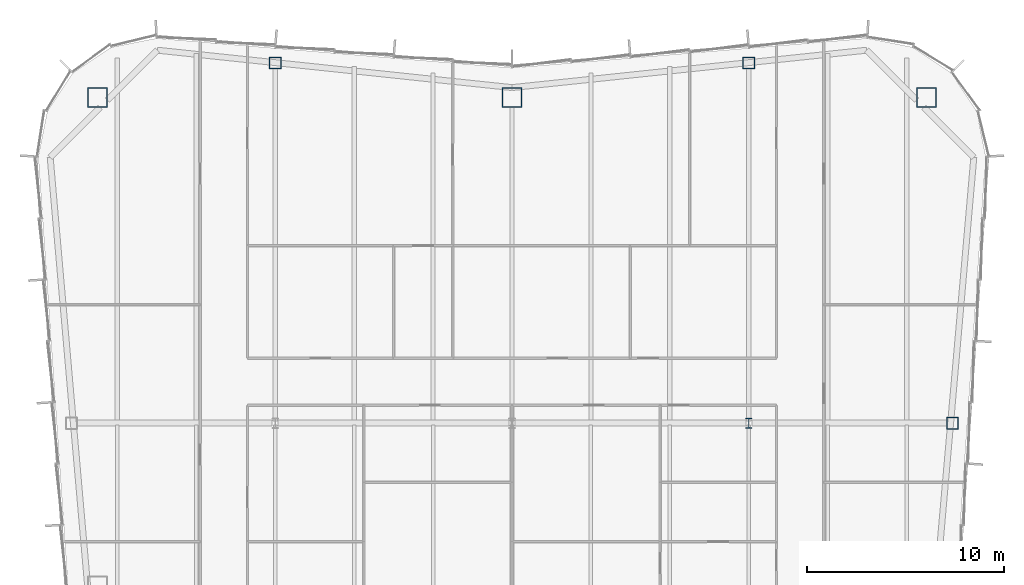
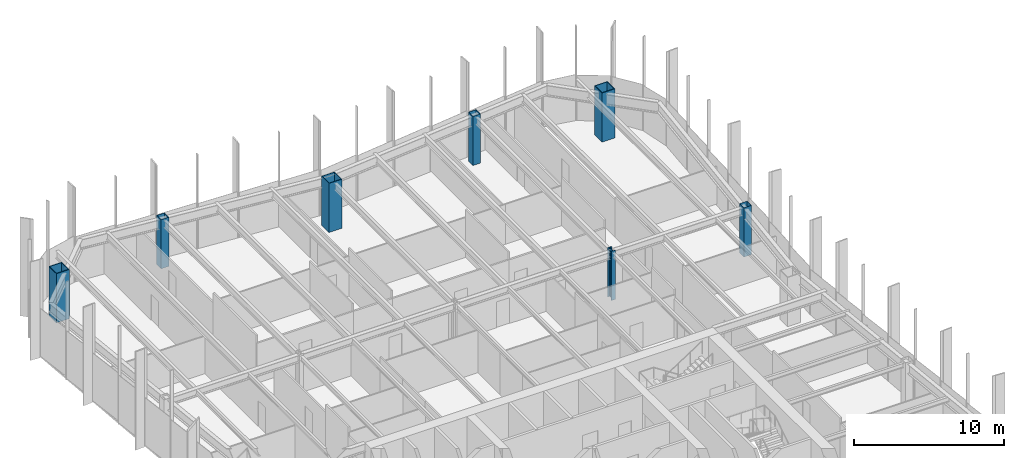
# One storey, part 2 of 15: 7 columns.
"""IFC4 building model written with IfcOpenShell, lengths in metres."""

from ifc_helpers import new_model, si_unit, direction, frame, origin, origin_2d, place, context, subcontext, project, spatial, hollow_rectangle, i_section, extrude, material, material_profile, profile_set, type_object, element, save


model = new_model("IFC4")

# Units and contexts
model_context = context("Model", 3, precision=1e-05, world=origin(), true_north=direction((0.0, 1.0)))
body_context = subcontext(model_context, "Body", "Model", "MODEL_VIEW")
ifc_project = project(units=[si_unit("LENGTHUNIT", "METRE"), si_unit("AREAUNIT", "SQUARE_METRE"), si_unit("VOLUMEUNIT", "CUBIC_METRE"), si_unit("PLANEANGLEUNIT", "RADIAN"), si_unit("MASSUNIT", "GRAM", prefix="KILO")], contexts=[model_context])

# Site, building, storey
site_placement = place(None, origin())
site = spatial("IfcSite", under=ifc_project, at=site_placement, CompositionType="ELEMENT")
building_placement = place(site_placement, origin())
building = spatial("IfcBuilding", under=site, at=building_placement, Name="Verdant Reach Tower", CompositionType="ELEMENT")
storey_placement = place(building_placement, frame((0.0, 0.0, 274.0)))
storey = spatial("IfcBuildingStorey", under=building, at=storey_placement, Name="L63", CompositionType="ELEMENT", Elevation=274.0)

# Columns
ifc_material = material(Name="Steel S460", Category="steel")
ifc_material_profile_1 = material_profile(ifc_material, i_section(OverallWidth=0.305908203125, OverallDepth=0.52392578125, WebThickness=0.012451171875, FlangeThickness=0.0400390625, FilletRadius=0.027099609375, at=origin_2d()), Name="HEM 500")
ifc_profile_set_1 = profile_set([ifc_material_profile_1], Name="Steel S460")
column_type_1 = type_object("IfcColumnType", Name="ST-COL-HEM500", PredefinedType="COLUMN", material=ifc_profile_set_1)
column_placement = place(storey_placement, frame((12.0, 49.5, 0.0), z_axis=(0.0, 0.0, 1.0), x_axis=(1.0, 0.0, 0.0)))
element("IfcColumn", 1, at=column_placement, inside=storey, type_object=column_type_1, Name="Interior column 3, L63", PredefinedType="COLUMN", context=body_context, shape_type="SweptSolid", body=[
    extrude(i_section(OverallWidth=0.305908203125, OverallDepth=0.52392578125, WebThickness=0.012451171875, FlangeThickness=0.0400390625, FilletRadius=0.027099609375, at=origin_2d()), origin(), (0.0, 0.0, 1.0), 4.0),
])
ifc_material_profile_2 = material_profile(ifc_material, hollow_rectangle(XDim=1.0, YDim=1.0, WallThickness=0.044921875, at=origin_2d()), Name="WB 1000x1000x45")
ifc_profile_set_2 = profile_set([ifc_material_profile_2], Name="Steel S460")
column_type_2 = type_object("IfcColumnType", Name="ST-COL-WB1000x1000x45", PredefinedType="COLUMN", material=ifc_profile_set_2)
for number, where, z_axis, x_axis, name in (
    (2, (-21.0, 66.0, 0.0), (0.0, 0.0, 1.0), (1.0, 0.0, 0.0), "Mega column north-west, L63"),
    (3, (0.0, 66.0, 0.0), (0.0, 0.0, 1.0), (1.0, 0.0, 0.0), "Mega column north, L63"),
    (4, (21.0, 66.0, 0.0), (0.0, 0.0, 1.0), (1.0, 0.0, 0.0), "Mega column north-east, L63"),
):
    element("IfcColumn", number, at=place(storey_placement, frame(where, z_axis=z_axis, x_axis=x_axis)), inside=storey, type_object=column_type_2, Name=name, PredefinedType="COLUMN", context=body_context, shape_type="SweptSolid", body=[
        extrude(hollow_rectangle(XDim=1.0, YDim=1.0, WallThickness=0.044921875, at=origin_2d()), origin(), (0.0, 0.0, 1.0), 4.0),
    ])
ifc_material_profile_3 = material_profile(ifc_material, hollow_rectangle(XDim=0.60009765625, YDim=0.60009765625, WallThickness=0.02490234375, at=origin_2d()), Name="WB 600x600x25")
ifc_profile_set_3 = profile_set([ifc_material_profile_3], Name="Steel S460")
column_type_3 = type_object("IfcColumnType", Name="ST-COL-WB600x600x25", PredefinedType="COLUMN", material=ifc_profile_set_3)
for number, where, z_axis, x_axis, name in (
    (5, (-12.0, 67.75, 0.0), (0.0, 0.0, 1.0), (1.0, 0.0, 0.0), "Perimeter column north 1, L63"),
    (6, (12.0, 67.75, 0.0), (0.0, 0.0, 1.0), (1.0, 0.0, 0.0), "Perimeter column north 2, L63"),
    (7, (22.319091796875, 49.5, 0.0), (0.0, 0.0, 1.0), (1.0, 0.0, 0.0), "Perimeter column east 2, L63"),
):
    element("IfcColumn", number, at=place(storey_placement, frame(where, z_axis=z_axis, x_axis=x_axis)), inside=storey, type_object=column_type_3, Name=name, PredefinedType="COLUMN", context=body_context, shape_type="SweptSolid", body=[
        extrude(hollow_rectangle(XDim=0.60009765625, YDim=0.60009765625, WallThickness=0.02490234375, at=origin_2d()), origin(), (0.0, 0.0, 1.0), 4.0),
    ])

save(model, "model.ifc")
